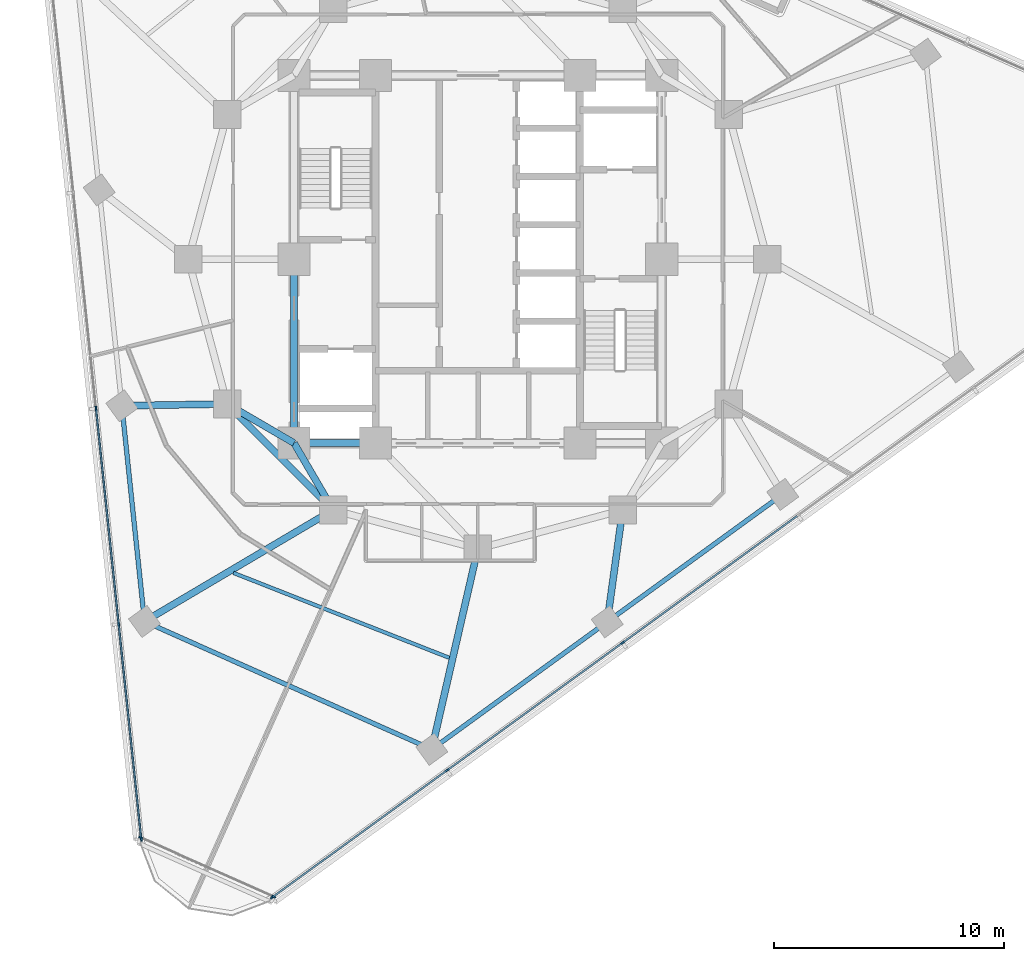
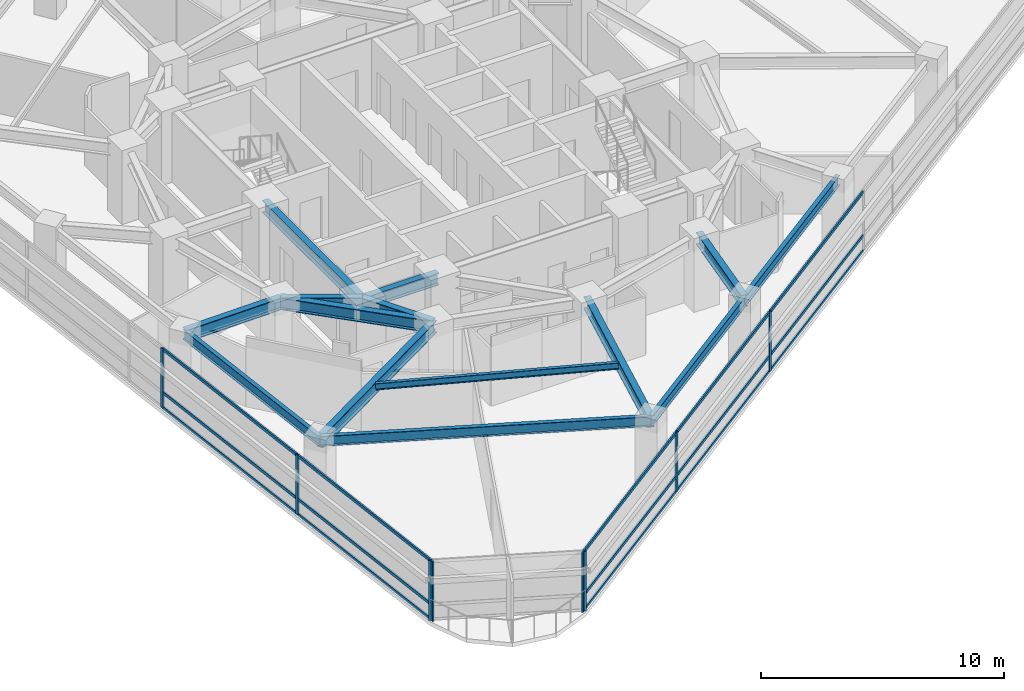
# One storey, part 2 of 14: 23 members, 14 beams, 3 elements without a shape of their own.
"""IFC4 building model written with IfcOpenShell, lengths in metres."""

import ifcopenshell
import ifcopenshell.guid

model = None  # the IFC model being written
_history = None  # IfcOwnerHistory: only IFC2X3 demands one
_inside = {}  # id of a spatial element -> (the spatial element, [elements in it])
_under = {}  # id of a project, library or spatial element -> (it, [spatial elements below it])
_declared = {}  # id of a project -> (the project, [libraries it declares])
_typed = {}  # id of a type object -> (the type object, [elements of that type])
_made_of = {}  # id of a material, layer set ... -> (it, [elements and type objects made of it])


def new_model(schema):
    """Start an empty IFC model of exactly this schema.

    Asked for "IFC4X3", IfcOpenShell would pick the latest addendum, in which some entities
    have other attributes; the version numbers below select the first issue.
    IFC2X3 requires an IfcOwnerHistory on every rooted entity: one is made here for all.
    """
    global model, _history
    if schema == "IFC4X3":
        model = ifcopenshell.file(schema_version=(4, 3, 0, 0))
    else:
        model = ifcopenshell.file(schema=schema)
    _inside.clear()
    _under.clear()
    _declared.clear()
    _typed.clear()
    _made_of.clear()
    _history = None
    if model.schema == "IFC2X3":
        org = make("IfcOrganization", Name="unknown")
        user = make(
            "IfcPersonAndOrganization",
            ThePerson=make("IfcPerson", FamilyName="unknown"),
            TheOrganization=org,
        )
        app = make(
            "IfcApplication",
            ApplicationDeveloper=org,
            Version="unknown",
            ApplicationFullName="unknown",
            ApplicationIdentifier="unknown",
        )
        _history = make(
            "IfcOwnerHistory",
            OwningUser=user,
            OwningApplication=app,
            ChangeAction="ADDED",
            CreationDate=0,
        )
    return model


def make(cls, **values):
    """One entity of the class cls with the attributes given. An attribute that is None is left unset."""
    return model.create_entity(
        cls, **{name: value for name, value in values.items() if value is not None}
    )


def rooted(cls, **values):
    """An entity with a GlobalId (a new one), such as an element, a storey or a relation."""
    return make(cls, GlobalId=ifcopenshell.guid.new(), OwnerHistory=_history, **values)


def si_unit(unit_type, name, prefix=None):
    """IfcSIUnit, for example si_unit("LENGTHUNIT", "METRE", prefix="MILLI")."""
    return make("IfcSIUnit", UnitType=unit_type, Prefix=prefix, Name=name)


def assignment(units):
    """IfcUnitAssignment: the units of a project."""
    return None if units is None else make("IfcUnitAssignment", Units=units)


def point(xyz):
    """IfcCartesianPoint."""
    return None if xyz is None else make("IfcCartesianPoint", Coordinates=xyz)


def direction(xyz):
    """IfcDirection."""
    return None if xyz is None else make("IfcDirection", DirectionRatios=xyz)


def frame(location, z_axis=None, x_axis=None):
    """IfcAxis2Placement3D, a coordinate frame: its origin and axes. An axis left out is left unset."""
    return make(
        "IfcAxis2Placement3D",
        Location=point(location),
        Axis=direction(z_axis),
        RefDirection=direction(x_axis),
    )


def frame_2d(location, x_axis=None):
    """IfcAxis2Placement2D, a coordinate frame in the plane: its origin and x axis."""
    return make(
        "IfcAxis2Placement2D", Location=point(location), RefDirection=direction(x_axis)
    )


def origin():
    """The frame at (0, 0, 0) with its axes left unset."""
    return frame((0.0, 0.0, 0.0))


def origin_2d():
    """The frame at (0, 0) in the plane with its x axis left unset."""
    return frame_2d((0.0, 0.0))


def place(relative_to, where):
    """IfcLocalPlacement: puts the frame where relative to a parent placement (None: the world)."""
    return make(
        "IfcLocalPlacement", PlacementRelTo=relative_to, RelativePlacement=where
    )


def context(
    kind, dimensions, precision=None, world=None, true_north=None, identifier=None
):
    """IfcGeometricRepresentationContext, for example the 3D "Model" context."""
    return make(
        "IfcGeometricRepresentationContext",
        ContextIdentifier=identifier,
        ContextType=kind,
        CoordinateSpaceDimension=dimensions,
        Precision=precision,
        WorldCoordinateSystem=world,
        TrueNorth=true_north,
    )


def subcontext(parent, identifier, kind, view, scale=None):
    """IfcGeometricRepresentationSubContext, for example "Body" below "Model"."""
    return make(
        "IfcGeometricRepresentationSubContext",
        ContextIdentifier=identifier,
        ContextType=kind,
        ParentContext=parent,
        TargetScale=scale,
        TargetView=view,
    )


def project(units=None, contexts=None):
    """IfcProject with its units and contexts."""
    return rooted(
        "IfcProject",
        Name="project",
        RepresentationContexts=contexts,
        UnitsInContext=assignment(units),
    )


def spatial(cls, under=None, at=None, **own):
    """A site, building, storey or space (cls), placed at a placement, below another one or the project."""
    s = rooted(cls, ObjectPlacement=at, **own)
    if under is not None:
        _under.setdefault(under.id(), (under, []))[1].append(s)
    return s


def profile(cls, at=None, kind="AREA", **sizes):
    """A parametric profile (cls). Its sizes go by their IFC names, for example OverallWidth=200.0."""
    return make(cls, ProfileType=kind, Position=at, **sizes)


def rectangle(**sizes):
    """IfcRectangleProfileDef."""
    return profile("IfcRectangleProfileDef", **sizes)


def i_section(**sizes):
    """IfcIShapeProfileDef."""
    return profile("IfcIShapeProfileDef", **sizes)


def extrude(swept, where, along, depth):
    """IfcExtrudedAreaSolid: the profile swept, set in the frame where, extruded along a direction by depth."""
    return make(
        "IfcExtrudedAreaSolid",
        SweptArea=swept,
        Position=where,
        ExtrudedDirection=direction(along),
        Depth=depth,
    )


def shape(context_of_items, identifier, shape_type, items):
    """IfcShapeRepresentation: the items that make up one representation, for example the "Body"."""
    return make(
        "IfcShapeRepresentation",
        ContextOfItems=context_of_items,
        RepresentationIdentifier=identifier,
        RepresentationType=shape_type,
        Items=items,
    )


def material(Name=None, Category=None):
    """IfcMaterial."""
    return make("IfcMaterial", Name=Name, Category=Category)


def layer(
    of_material, thickness, ventilated=None, Name=None, Category=None, Priority=None
):
    """IfcMaterialLayer: one layer of a wall or slab, of a material (None: an air gap)."""
    return make(
        "IfcMaterialLayer",
        Material=of_material,
        LayerThickness=thickness,
        IsVentilated=ventilated,
        Name=Name,
        Category=Category,
        Priority=Priority,
    )


def layer_set(layers, Name=None):
    """IfcMaterialLayerSet."""
    return make("IfcMaterialLayerSet", MaterialLayers=layers, LayerSetName=Name)


def material_profile(
    of_material, cross_section, Name=None, Category=None, Priority=None
):
    """IfcMaterialProfile: a cross section and its material."""
    return make(
        "IfcMaterialProfile",
        Name=Name,
        Material=of_material,
        Profile=cross_section,
        Priority=Priority,
        Category=Category,
    )


def profile_set(profiles, Name=None, composite=None):
    """IfcMaterialProfileSet."""
    return make(
        "IfcMaterialProfileSet",
        Name=Name,
        MaterialProfiles=profiles,
        CompositeProfile=composite,
    )


def made_of(thing, what):
    """Note that an element or type object is made of a material, layer set ...; save() writes the relation."""
    if what is not None:
        _made_of.setdefault(what.id(), (what, []))[1].append(thing)
    return thing


def type_object(cls, material=None, **own):
    """A type object (cls), such as IfcWallType, which elements share."""
    return made_of(rooted(cls, **own), material)


def element(
    cls,
    number,
    at=None,
    inside=None,
    cuts=None,
    type_object=None,
    material=None,
    context=None,
    identifier="Body",
    shape_type=None,
    held_by="IfcProductDefinitionShape",
    body=None,
    shapes=None,
    **own,
):
    """One element of the class cls, such as IfcWall. Its Tag is "e" and its number.

    at: its placement. inside: the storey or other place that contains it. cuts: it is an
    opening in that element (IfcRelVoidsElement). A single representation is given by context,
    identifier, shape_type and body (its items); several are given by shapes. held_by: the class
    of the entity that holds the representations. save() writes the other relations.
    """
    e = rooted(cls, Tag="e%d" % number, ObjectPlacement=at, **own)
    if body is not None:
        shapes = [shape(context, identifier, shape_type, body)]
    if shapes is not None:
        e.Representation = make(held_by, Representations=shapes)
    if inside is not None:
        _inside.setdefault(inside.id(), (inside, []))[1].append(e)
    if cuts is not None:
        rooted(
            "IfcRelVoidsElement", RelatingBuildingElement=cuts, RelatedOpeningElement=e
        )
    if type_object is not None:
        _typed.setdefault(type_object.id(), (type_object, []))[1].append(e)
    return made_of(e, material)


def aggregate(whole, parts):
    """IfcRelAggregates: a whole, such as a stair, and the parts it consists of."""
    return rooted("IfcRelAggregates", RelatingObject=whole, RelatedObjects=parts)


def save(model, path):
    """Write the relations noted so far, then the file.

    IfcRelAggregates (storeys below a building ...), IfcRelContainedInSpatialStructure (elements
    in a storey), IfcRelDefinesByType, IfcRelAssociatesMaterial and IfcRelDeclares: one each for
    every whole, place, type object, material and project.
    """
    for whole, parts in _under.values():
        aggregate(whole, parts)
    for where, things in _inside.values():
        rooted(
            "IfcRelContainedInSpatialStructure",
            RelatedElements=things,
            RelatingStructure=where,
        )
    for kind, things in _typed.values():
        rooted("IfcRelDefinesByType", RelatedObjects=things, RelatingType=kind)
    for what, things in _made_of.values():
        rooted("IfcRelAssociatesMaterial", RelatedObjects=things, RelatingMaterial=what)
    for by, libraries in _declared.values():
        rooted("IfcRelDeclares", RelatingContext=by, RelatedDefinitions=libraries)
    model.write(path)


model = new_model("IFC4")

# Units and contexts
model_context = context("Model", 3, precision=1e-05, world=origin(), true_north=direction((0.0, 1.0)))
body_context = subcontext(model_context, "Body", "Model", "MODEL_VIEW")
ifc_project = project(units=[si_unit("LENGTHUNIT", "METRE"), si_unit("AREAUNIT", "SQUARE_METRE"), si_unit("VOLUMEUNIT", "CUBIC_METRE"), si_unit("PLANEANGLEUNIT", "RADIAN"), si_unit("MASSUNIT", "GRAM", prefix="KILO")], contexts=[model_context])

# Site, building, storey
site_placement = place(None, origin())
site = spatial("IfcSite", under=ifc_project, at=site_placement, CompositionType="ELEMENT")
building_placement = place(site_placement, origin())
building = spatial("IfcBuilding", under=site, at=building_placement, Name="Terralouvre Media Tower", CompositionType="ELEMENT")
storey_placement = place(building_placement, frame((0.0, 0.0, 176.800048828125)))
storey = spatial("IfcBuildingStorey", under=building, at=storey_placement, Name="L45", CompositionType="ELEMENT", Elevation=176.800048828125)

# Beam
ifc_material_1 = material(Name="Structural steel S355J2", Category="steel")
ifc_material_profile_1 = material_profile(ifc_material_1, i_section(OverallWidth=0.159912109375, OverallDepth=0.330078125, WebThickness=0.007568359375, FlangeThickness=0.011474609375, at=origin_2d()), Name="IPE 330")
ifc_profile_set_1 = profile_set([ifc_material_profile_1], Name="Structural steel S355J2")
beam_type_1 = type_object("IfcBeamType", Name="Composite Floor Joist J-IPE330 (IPE 330)", PredefinedType="JOIST", material=ifc_profile_set_1)
beam_1_placement = place(storey_placement, frame((-10.638916015625, -13.648681640625, 3.3349609375), z_axis=(0.93055150024, -0.366161037525, 0.0), x_axis=(0.366161037525, 0.93055150024, 0.0)))
element("IfcBeam", 1, at=beam_1_placement, inside=storey, type_object=beam_type_1, Name="L45 Framing Beam JT-L45-01", PredefinedType="JOIST", context=body_context, shape_type="SweptSolid", body=[
    extrude(i_section(OverallWidth=0.159912109375, OverallDepth=0.330078125, WebThickness=0.007568359375, FlangeThickness=0.011474609375, at=origin_2d()), origin(), (0.0, 0.0, 1.0), 10.0966796875),
])

# Curtain wall, members
ifc_material_2 = material(Name="Low-iron laminated double glazing with solar-control coating", Category="glass")
ifc_layer_1 = layer(ifc_material_2, 0.1650390625, Name="Production Studio Tower Curtain Wall CW-03")
ifc_layer_set_1 = layer_set([ifc_layer_1], Name="Low-iron laminated double glazing with solar-control coating")
curtain_wall_type_1 = type_object("IfcCurtainWallType", Name="Production Studio Tower Curtain Wall CW-03", PredefinedType="NOTDEFINED", material=ifc_layer_set_1)
curtain_wall_1_placement = place(storey_placement, origin())
curtain_wall_1 = element("IfcCurtainWall", 2, at=curtain_wall_1_placement, inside=storey, type_object=curtain_wall_type_1, Name="L45 Facade Curtain Wall F0", PredefinedType="NOTDEFINED")
ifc_material_3 = material(Name="Anodised extruded aluminium 6063-T6", Category="aluminium")
ifc_material_profile_2 = material_profile(ifc_material_3, rectangle(XDim=0.074951171875, YDim=0.14990234375, at=origin_2d()), Name="ALU 75x150")
ifc_profile_set_2 = profile_set([ifc_material_profile_2], Name="Anodised extruded aluminium 6063-T6")
member_type_1 = type_object("IfcMemberType", Name="Curtain-Wall Horizontal Transom TR-150", PredefinedType="USERDEFINED", material=ifc_profile_set_2)
member_1_placement = place(storey_placement, frame((-8.9189453125, -27.7470703125, 0.037353515625), z_axis=(0.809025744282, 0.58777320889, 0.0), x_axis=(-0.58777320889, 0.809025744282, 0.0)))
member_1 = element("IfcMember", 3, at=member_1_placement, type_object=member_type_1, Name="CW-03 transom 1.1", ObjectType="TRANSOM", PredefinedType="USERDEFINED", context=body_context, shape_type="SweptSolid", body=[
    extrude(rectangle(XDim=0.074951171875, YDim=0.14990234375, at=origin_2d()), origin(), (0.0, 0.0, 1.0), 9.327392578125),
])
member_2_placement = place(storey_placement, frame((-8.9189453125, -27.7470703125, 0.800048828125), z_axis=(0.809025744282, 0.58777320889, 0.0), x_axis=(-0.58777320889, 0.809025744282, 0.0)))
member_2 = element("IfcMember", 4, at=member_2_placement, type_object=member_type_1, Name="CW-03 transom 1.2", ObjectType="TRANSOM", PredefinedType="USERDEFINED", context=body_context, shape_type="SweptSolid", body=[
    extrude(rectangle(XDim=0.074951171875, YDim=0.14990234375, at=origin_2d()), origin(), (0.0, 0.0, 1.0), 9.327392578125),
])
member_3_placement = place(storey_placement, frame((-8.9189453125, -27.7470703125, 2.96240234375), z_axis=(0.809025744282, 0.58777320889, 0.0), x_axis=(-0.58777320889, 0.809025744282, 0.0)))
member_3 = element("IfcMember", 5, at=member_3_placement, type_object=member_type_1, Name="CW-03 transom 1.3", ObjectType="TRANSOM", PredefinedType="USERDEFINED", context=body_context, shape_type="SweptSolid", body=[
    extrude(rectangle(XDim=0.074951171875, YDim=0.14990234375, at=origin_2d()), origin(), (0.0, 0.0, 1.0), 9.327392578125),
])
member_4_placement = place(storey_placement, frame((-1.312255859375, -22.220458984375, 0.037353515625), z_axis=(0.809014443998, 0.587788762569, 0.0), x_axis=(-0.587788762569, 0.809014443998, 0.0)))
member_4 = element("IfcMember", 6, at=member_4_placement, type_object=member_type_1, Name="CW-03 transom 2.1", ObjectType="TRANSOM", PredefinedType="USERDEFINED", context=body_context, shape_type="SweptSolid", body=[
    extrude(rectangle(XDim=0.074951171875, YDim=0.14990234375, at=origin_2d()), origin(), (0.0, 0.0, 1.0), 9.364990234375),
])
member_5_placement = place(storey_placement, frame((-1.312255859375, -22.220458984375, 0.800048828125), z_axis=(0.809014443998, 0.587788762569, 0.0), x_axis=(-0.587788762569, 0.809014443998, 0.0)))
member_5 = element("IfcMember", 7, at=member_5_placement, type_object=member_type_1, Name="CW-03 transom 2.2", ObjectType="TRANSOM", PredefinedType="USERDEFINED", context=body_context, shape_type="SweptSolid", body=[
    extrude(rectangle(XDim=0.074951171875, YDim=0.14990234375, at=origin_2d()), origin(), (0.0, 0.0, 1.0), 9.364990234375),
])
member_6_placement = place(storey_placement, frame((-1.312255859375, -22.220458984375, 2.96240234375), z_axis=(0.809014443998, 0.587788762569, 0.0), x_axis=(-0.587788762569, 0.809014443998, 0.0)))
member_6 = element("IfcMember", 8, at=member_6_placement, type_object=member_type_1, Name="CW-03 transom 2.3", ObjectType="TRANSOM", PredefinedType="USERDEFINED", context=body_context, shape_type="SweptSolid", body=[
    extrude(rectangle(XDim=0.074951171875, YDim=0.14990234375, at=origin_2d()), origin(), (0.0, 0.0, 1.0), 9.364990234375),
])
member_7_placement = place(storey_placement, frame((6.324951171875, -16.671875, 0.037353515625), z_axis=(0.809014443998, 0.587788762569, 0.0), x_axis=(-0.587788762569, 0.809014443998, 0.0)))
member_7 = element("IfcMember", 9, at=member_7_placement, type_object=member_type_1, Name="CW-03 transom 3.1", ObjectType="TRANSOM", PredefinedType="USERDEFINED", context=body_context, shape_type="SweptSolid", body=[
    extrude(rectangle(XDim=0.074951171875, YDim=0.14990234375, at=origin_2d()), origin(), (0.0, 0.0, 1.0), 9.364990234375),
])
member_8_placement = place(storey_placement, frame((6.324951171875, -16.671875, 0.800048828125), z_axis=(0.809014443998, 0.587788762569, 0.0), x_axis=(-0.587788762569, 0.809014443998, 0.0)))
member_8 = element("IfcMember", 10, at=member_8_placement, type_object=member_type_1, Name="CW-03 transom 3.2", ObjectType="TRANSOM", PredefinedType="USERDEFINED", context=body_context, shape_type="SweptSolid", body=[
    extrude(rectangle(XDim=0.074951171875, YDim=0.14990234375, at=origin_2d()), origin(), (0.0, 0.0, 1.0), 9.364990234375),
])
member_9_placement = place(storey_placement, frame((6.324951171875, -16.671875, 2.96240234375), z_axis=(0.809014443998, 0.587788762569, 0.0), x_axis=(-0.587788762569, 0.809014443998, 0.0)))
member_9 = element("IfcMember", 11, at=member_9_placement, type_object=member_type_1, Name="CW-03 transom 3.3", ObjectType="TRANSOM", PredefinedType="USERDEFINED", context=body_context, shape_type="SweptSolid", body=[
    extrude(rectangle(XDim=0.074951171875, YDim=0.14990234375, at=origin_2d()), origin(), (0.0, 0.0, 1.0), 9.364990234375),
])

curtain_wall_2_placement = place(storey_placement, origin())
curtain_wall_2 = element("IfcCurtainWall", 12, at=curtain_wall_2_placement, inside=storey, type_object=curtain_wall_type_1, Name="L45 Facade Curtain Wall F2", PredefinedType="NOTDEFINED")
member_10_placement = place(storey_placement, frame((-16.614013671875, -6.52978515625, 0.037353515625), z_axis=(0.104538223456, -0.994520869483, 0.0), x_axis=(0.994520869483, 0.104538223456, 0.0)))
member_10 = element("IfcMember", 13, at=member_10_placement, type_object=member_type_1, Name="CW-03 transom 4.1", ObjectType="TRANSOM", PredefinedType="USERDEFINED", context=body_context, shape_type="SweptSolid", body=[
    extrude(rectangle(XDim=0.074951171875, YDim=0.14990234375, at=origin_2d()), origin(), (0.0, 0.0, 1.0), 9.364990234375),
])
member_11_placement = place(storey_placement, frame((-16.614013671875, -6.52978515625, 0.800048828125), z_axis=(0.104538223456, -0.994520869483, 0.0), x_axis=(0.994520869483, 0.104538223456, 0.0)))
member_11 = element("IfcMember", 14, at=member_11_placement, type_object=member_type_1, Name="CW-03 transom 4.2", ObjectType="TRANSOM", PredefinedType="USERDEFINED", context=body_context, shape_type="SweptSolid", body=[
    extrude(rectangle(XDim=0.074951171875, YDim=0.14990234375, at=origin_2d()), origin(), (0.0, 0.0, 1.0), 9.364990234375),
])
member_12_placement = place(storey_placement, frame((-16.614013671875, -6.52978515625, 2.96240234375), z_axis=(0.104538223456, -0.994520869483, 0.0), x_axis=(0.994520869483, 0.104538223456, 0.0)))
member_12 = element("IfcMember", 15, at=member_12_placement, type_object=member_type_1, Name="CW-03 transom 4.3", ObjectType="TRANSOM", PredefinedType="USERDEFINED", context=body_context, shape_type="SweptSolid", body=[
    extrude(rectangle(XDim=0.074951171875, YDim=0.14990234375, at=origin_2d()), origin(), (0.0, 0.0, 1.0), 9.364990234375),
])
member_13_placement = place(storey_placement, frame((-15.627197265625, -15.918212890625, 0.037353515625), z_axis=(0.104540358364, -0.994520645071, 0.0), x_axis=(0.994520645071, 0.104540358364, 0.0)))
member_13 = element("IfcMember", 16, at=member_13_placement, type_object=member_type_1, Name="CW-03 transom 5.1", ObjectType="TRANSOM", PredefinedType="USERDEFINED", context=body_context, shape_type="SweptSolid", body=[
    extrude(rectangle(XDim=0.074951171875, YDim=0.14990234375, at=origin_2d()), origin(), (0.0, 0.0, 1.0), 9.327392578125),
])
member_14_placement = place(storey_placement, frame((-15.627197265625, -15.918212890625, 0.800048828125), z_axis=(0.104540358364, -0.994520645071, 0.0), x_axis=(0.994520645071, 0.104540358364, 0.0)))
member_14 = element("IfcMember", 17, at=member_14_placement, type_object=member_type_1, Name="CW-03 transom 5.2", ObjectType="TRANSOM", PredefinedType="USERDEFINED", context=body_context, shape_type="SweptSolid", body=[
    extrude(rectangle(XDim=0.074951171875, YDim=0.14990234375, at=origin_2d()), origin(), (0.0, 0.0, 1.0), 9.327392578125),
])
member_15_placement = place(storey_placement, frame((-15.627197265625, -15.918212890625, 2.96240234375), z_axis=(0.104540358364, -0.994520645071, 0.0), x_axis=(0.994520645071, 0.104540358364, 0.0)))
member_15 = element("IfcMember", 18, at=member_15_placement, type_object=member_type_1, Name="CW-03 transom 5.3", ObjectType="TRANSOM", PredefinedType="USERDEFINED", context=body_context, shape_type="SweptSolid", body=[
    extrude(rectangle(XDim=0.074951171875, YDim=0.14990234375, at=origin_2d()), origin(), (0.0, 0.0, 1.0), 9.327392578125),
])

# Member
ifc_material_4 = material(Name="Anodised extruded aluminium 6063-T6", Category="aluminium")
ifc_material_profile_3 = material_profile(ifc_material_4, rectangle(XDim=0.074951171875, YDim=0.179931640625, at=origin_2d()), Name="ALU 75x180")
ifc_profile_set_3 = profile_set([ifc_material_profile_3], Name="Anodised extruded aluminium 6063-T6")
member_type_2 = type_object("IfcMemberType", Name="Curtain-Wall Vertical Mullion ML-180", PredefinedType="MULLION", material=ifc_profile_set_3)
member_16_placement = place(storey_placement, frame((-8.949462890625, -27.769287109375, 0.0), z_axis=(0.0, 0.0, 1.0), x_axis=(-0.587785358263, 0.809016917383, 0.0)))
member_16 = element("IfcMember", 19, at=member_16_placement, type_object=member_type_2, Name="CW-03 mullion 1", PredefinedType="MULLION", context=body_context, shape_type="SweptSolid", body=[
    extrude(rectangle(XDim=0.074951171875, YDim=0.179931640625, at=origin_2d()), origin(), (0.0, 0.0, 1.0), 3.0),
])

member_17_placement = place(storey_placement, frame((-1.342529296875, -22.24267578125, 0.0), z_axis=(0.0, 0.0, 1.0), x_axis=(-0.587785358263, 0.809016917383, 0.0)))
member_17 = element("IfcMember", 20, at=member_17_placement, type_object=member_type_2, Name="CW-03 mullion 2", PredefinedType="MULLION", context=body_context, shape_type="SweptSolid", body=[
    extrude(rectangle(XDim=0.074951171875, YDim=0.179931640625, at=origin_2d()), origin(), (0.0, 0.0, 1.0), 3.0),
])

member_18_placement = place(storey_placement, frame((6.294677734375, -16.69384765625, 0.0), z_axis=(0.0, 0.0, 1.0), x_axis=(-0.587785358263, 0.809016917383, 0.0)))
member_18 = element("IfcMember", 21, at=member_18_placement, type_object=member_type_2, Name="CW-03 mullion 3", PredefinedType="MULLION", context=body_context, shape_type="SweptSolid", body=[
    extrude(rectangle(XDim=0.074951171875, YDim=0.179931640625, at=origin_2d()), origin(), (0.0, 0.0, 1.0), 3.0),
])

aggregate(curtain_wall_1, [member_16, member_17, member_18, member_1, member_2, member_3, member_4, member_5, member_6, member_7, member_8, member_9])

member_19_placement = place(storey_placement, frame((-16.617919921875, -6.49267578125, 0.0), z_axis=(0.0, 0.0, 1.0), x_axis=(0.994521904516, 0.104528376236, 0.0)))
member_19 = element("IfcMember", 22, at=member_19_placement, type_object=member_type_2, Name="CW-03 mullion 4", PredefinedType="MULLION", context=body_context, shape_type="SweptSolid", body=[
    extrude(rectangle(XDim=0.074951171875, YDim=0.179931640625, at=origin_2d()), origin(), (0.0, 0.0, 1.0), 3.0),
])

member_20_placement = place(storey_placement, frame((-15.631103515625, -15.880859375, 0.0), z_axis=(0.0, 0.0, 1.0), x_axis=(0.994521904516, 0.104528376236, 0.0)))
member_20 = element("IfcMember", 23, at=member_20_placement, type_object=member_type_2, Name="CW-03 mullion 5", PredefinedType="MULLION", context=body_context, shape_type="SweptSolid", body=[
    extrude(rectangle(XDim=0.074951171875, YDim=0.179931640625, at=origin_2d()), origin(), (0.0, 0.0, 1.0), 3.0),
])

member_21_placement = place(storey_placement, frame((-14.648193359375, -25.23193359375, 0.0), z_axis=(0.0, 0.0, 1.0), x_axis=(0.994521904516, 0.104528376236, 0.0)))
member_21 = element("IfcMember", 24, at=member_21_placement, type_object=member_type_2, Name="CW-03 mullion 6", PredefinedType="MULLION", context=body_context, shape_type="SweptSolid", body=[
    extrude(rectangle(XDim=0.074951171875, YDim=0.179931640625, at=origin_2d()), origin(), (0.0, 0.0, 1.0), 3.0),
])

aggregate(curtain_wall_2, [member_19, member_20, member_21, member_10, member_11, member_12, member_13, member_14, member_15])

# Curtain wall, members
ifc_material_5 = material(Name="Low-iron laminated double glazing with solar-control coating", Category="glass")
ifc_layer_2 = layer(ifc_material_5, 0.1650390625, Name="Rounded Wind-Corner Curved Glazing CW-04")
ifc_layer_set_2 = layer_set([ifc_layer_2], Name="Low-iron laminated double glazing with solar-control coating")
curtain_wall_type_2 = type_object("IfcCurtainWallType", Name="Rounded Wind-Corner Curved Glazing CW-04", PredefinedType="NOTDEFINED", material=ifc_layer_set_2)
curtain_wall_3_placement = place(storey_placement, origin())
curtain_wall_3 = element("IfcCurtainWall", 25, at=curtain_wall_3_placement, inside=storey, type_object=curtain_wall_type_2, Name="L45 Rounded Wind-Corner Curtain Wall C0", PredefinedType="NOTDEFINED")
member_22_placement = place(storey_placement, frame((-14.67236328125, -25.169189453125, 0.0), z_axis=(0.0, 0.0, 1.0), x_axis=(0.406736754128, 0.913545408199, 0.0)))
member_22 = element("IfcMember", 26, at=member_22_placement, type_object=member_type_2, Name="CW-04 mullion 1", PredefinedType="MULLION", context=body_context, shape_type="SweptSolid", body=[
    extrude(rectangle(XDim=0.074951171875, YDim=0.179931640625, at=origin_2d()), origin(), (0.0, 0.0, 1.0), 3.0),
])
member_23_placement = place(storey_placement, frame((-8.886474609375, -27.7451171875, 0.0), z_axis=(0.0, 0.0, 1.0), x_axis=(0.406736754128, 0.913545408199, 0.0)))
member_23 = element("IfcMember", 27, at=member_23_placement, type_object=member_type_2, Name="CW-04 mullion 2", PredefinedType="MULLION", context=body_context, shape_type="SweptSolid", body=[
    extrude(rectangle(XDim=0.074951171875, YDim=0.179931640625, at=origin_2d()), origin(), (0.0, 0.0, 1.0), 3.0),
])
aggregate(curtain_wall_3, [member_22, member_23])

# Beams
ifc_material_6 = material(Name="Structural steel S355J2", Category="steel")
ifc_material_profile_4 = material_profile(ifc_material_6, i_section(OverallWidth=0.199951171875, OverallDepth=0.5, WebThickness=0.01025390625, FlangeThickness=0.01611328125, at=origin_2d()), Name="IPE 500")
ifc_profile_set_4 = profile_set([ifc_material_profile_4], Name="Structural steel S355J2")
beam_type_2 = type_object("IfcBeamType", Name="Perimeter Spandrel Beam SPB-500 (IPE 500)", PredefinedType="SPANDREL", material=ifc_profile_set_4)
beam_2_placement = place(storey_placement, frame((-15.494140625, -6.37451171875, 3.25), z_axis=(0.10453669331, -0.994521030321, 0.0), x_axis=(0.994521030321, 0.10453669331, 0.0)))
element("IfcBeam", 28, at=beam_2_placement, inside=storey, type_object=beam_type_2, Name="L45 Framing Beam BM-L45-PR01", PredefinedType="SPANDREL", context=body_context, shape_type="SweptSolid", body=[
    extrude(i_section(OverallWidth=0.199951171875, OverallDepth=0.5, WebThickness=0.01025390625, FlangeThickness=0.01611328125, at=origin_2d()), origin(), (0.0, 0.0, 1.0), 9.43994140625),
])
beam_3_placement = place(storey_placement, frame((-14.50732421875, -15.7626953125, 3.25), z_axis=(0.913542800127, -0.4067426119, 0.0), x_axis=(0.4067426119, 0.913542800127, 0.0)))
element("IfcBeam", 29, at=beam_3_placement, inside=storey, type_object=beam_type_2, Name="L45 Framing Beam BM-L45-PR02", PredefinedType="SPANDREL", context=body_context, shape_type="SweptSolid", body=[
    extrude(i_section(OverallWidth=0.199951171875, OverallDepth=0.5, WebThickness=0.01025390625, FlangeThickness=0.01611328125, at=origin_2d()), origin(), (0.0, 0.0, 1.0), 13.68359375),
])
beam_4_placement = place(storey_placement, frame((-2.0068359375, -21.328369140625, 3.25), z_axis=(0.809025644413, 0.587773346352, 0.0), x_axis=(-0.587773346352, 0.809025644413, 0.0)))
element("IfcBeam", 30, at=beam_4_placement, inside=storey, type_object=beam_type_2, Name="L45 Framing Beam BM-L45-PR03", PredefinedType="SPANDREL", context=body_context, shape_type="SweptSolid", body=[
    extrude(i_section(OverallWidth=0.199951171875, OverallDepth=0.5, WebThickness=0.01025390625, FlangeThickness=0.01611328125, at=origin_2d()), origin(), (0.0, 0.0, 1.0), 9.43994140625),
])
beam_5_placement = place(storey_placement, frame((5.63037109375, -15.77978515625, 3.25), z_axis=(0.809013346268, 0.587790273448, 0.0), x_axis=(-0.587790273448, 0.809013346268, 0.0)))
element("IfcBeam", 31, at=beam_5_placement, inside=storey, type_object=beam_type_2, Name="L45 Framing Beam BM-L45-PR04", PredefinedType="SPANDREL", context=body_context, shape_type="SweptSolid", body=[
    extrude(i_section(OverallWidth=0.199951171875, OverallDepth=0.5, WebThickness=0.01025390625, FlangeThickness=0.01611328125, at=origin_2d()), origin(), (0.0, 0.0, 1.0), 9.440185546875),
])
ifc_material_7 = material(Name="Structural steel S460M", Category="steel")
ifc_material_profile_5 = material_profile(ifc_material_7, i_section(OverallWidth=0.300048828125, OverallDepth=0.60009765625, WebThickness=0.015380859375, FlangeThickness=0.030029296875, at=origin_2d()), Name="HEB 600")
ifc_profile_set_5 = profile_set([ifc_material_profile_5], Name="Structural steel S460M")
beam_type_3 = type_object("IfcBeamType", Name="Primary Floor Girder B-HEB600 (HEB 600)", PredefinedType="BEAM", material=ifc_profile_set_5)
beam_6_placement = place(storey_placement, frame((-8.0, -8.0, 3.199951171875), z_axis=(1.0, 0.0, 0.0), x_axis=(0.0, 1.0, 0.0)))
element("IfcBeam", 32, at=beam_6_placement, inside=storey, type_object=beam_type_3, Name="L45 Framing Beam BM-L45-CPR01", PredefinedType="BEAM", context=body_context, shape_type="SweptSolid", body=[
    extrude(i_section(OverallWidth=0.300048828125, OverallDepth=0.60009765625, WebThickness=0.015380859375, FlangeThickness=0.030029296875, at=origin_2d()), origin(), (0.0, 0.0, 1.0), 3.550048828125),
])
beam_7_placement = place(storey_placement, frame((-8.0, 0.0, 3.199951171875), z_axis=(0.0, -1.0, 0.0), x_axis=(1.0, 0.0, 0.0)))
element("IfcBeam", 33, at=beam_7_placement, inside=storey, type_object=beam_type_3, Name="L45 Framing Beam BM-L45-CPR10", PredefinedType="BEAM", context=body_context, shape_type="SweptSolid", body=[
    extrude(i_section(OverallWidth=0.300048828125, OverallDepth=0.60009765625, WebThickness=0.015380859375, FlangeThickness=0.030029296875, at=origin_2d()), origin(), (0.0, 0.0, 1.0), 8.0),
])
beam_8_placement = place(storey_placement, frame((-10.911865234375, -6.300048828125, 3.199951171875), z_axis=(0.707106781187, -0.707106781187, 0.0), x_axis=(0.707106781187, 0.707106781187, 0.0)))
element("IfcBeam", 34, at=beam_8_placement, inside=storey, type_object=beam_type_3, Name="L45 Framing Beam BM-L45-MR01", PredefinedType="BEAM", context=body_context, shape_type="SweptSolid", body=[
    extrude(i_section(OverallWidth=0.300048828125, OverallDepth=0.60009765625, WebThickness=0.015380859375, FlangeThickness=0.030029296875, at=origin_2d()), origin(), (0.0, 0.0, 1.0), 6.52197265625),
])
for number, where, z_axis, x_axis, name in (
    (35, (-8.0, -8.0, 3.199951171875), (-0.863602894532, 0.504172629717, 0.0), (-0.504172629717, -0.863602894532, 0.0), "L45 Framing Beam BM-L45-CM01"),
    (36, (-8.0, -8.0, 3.199951171875), (0.504172629717, -0.863602894532, 0.0), (0.863602894532, 0.504172629717, 0.0), "L45 Framing Beam BM-L45-CM02"),
):
    element("IfcBeam", number, at=place(storey_placement, frame(where, z_axis=z_axis, x_axis=x_axis)), inside=storey, type_object=beam_type_3, Name=name, PredefinedType="BEAM", context=body_context, shape_type="SweptSolid", body=[
        extrude(i_section(OverallWidth=0.300048828125, OverallDepth=0.60009765625, WebThickness=0.015380859375, FlangeThickness=0.030029296875, at=origin_2d()), origin(), (0.0, 0.0, 1.0), 3.371826171875),
    ])
beam_9_placement = place(storey_placement, frame((-10.911865234375, -6.300048828125, 3.199951171875), z_axis=(-0.999867991647, -0.016248054635, 0.0), x_axis=(0.016248054635, -0.999867991647, 0.0)))
element("IfcBeam", 37, at=beam_9_placement, inside=storey, type_object=beam_type_3, Name="L45 Framing Beam BM-L45-RD01", PredefinedType="BEAM", context=body_context, shape_type="SweptSolid", body=[
    extrude(i_section(OverallWidth=0.300048828125, OverallDepth=0.60009765625, WebThickness=0.015380859375, FlangeThickness=0.030029296875, at=origin_2d()), origin(), (0.0, 0.0, 1.0), 4.582763671875),
])
beam_10_placement = place(storey_placement, frame((-6.300048828125, -10.911865234375, 3.199951171875), z_axis=(-0.86087707212, -0.508812997768, 0.0), x_axis=(0.508812997768, -0.86087707212, 0.0)))
element("IfcBeam", 38, at=beam_10_placement, inside=storey, type_object=beam_type_3, Name="L45 Framing Beam BM-L45-RD02", PredefinedType="BEAM", context=body_context, shape_type="SweptSolid", body=[
    extrude(i_section(OverallWidth=0.300048828125, OverallDepth=0.60009765625, WebThickness=0.015380859375, FlangeThickness=0.030029296875, at=origin_2d()), origin(), (0.0, 0.0, 1.0), 9.53369140625),
])
beam_11_placement = place(storey_placement, frame((0.0, -12.60009765625, 3.199951171875), z_axis=(-0.224077011605, -0.974571440619, 0.0), x_axis=(0.974571440619, -0.224077011605, 0.0)))
element("IfcBeam", 39, at=beam_11_placement, inside=storey, type_object=beam_type_3, Name="L45 Framing Beam BM-L45-RD03", PredefinedType="BEAM", context=body_context, shape_type="SweptSolid", body=[
    extrude(i_section(OverallWidth=0.300048828125, OverallDepth=0.60009765625, WebThickness=0.015380859375, FlangeThickness=0.030029296875, at=origin_2d()), origin(), (0.0, 0.0, 1.0), 8.9560546875),
])
beam_12_placement = place(storey_placement, frame((6.300048828125, -10.911865234375, 3.199951171875), z_axis=(-0.136285998947, -0.990669534452, 0.0), x_axis=(0.990669534452, -0.136285998947, 0.0)))
element("IfcBeam", 40, at=beam_12_placement, inside=storey, type_object=beam_type_3, Name="L45 Framing Beam BM-L45-RD04", PredefinedType="BEAM", context=body_context, shape_type="SweptSolid", body=[
    extrude(i_section(OverallWidth=0.300048828125, OverallDepth=0.60009765625, WebThickness=0.015380859375, FlangeThickness=0.030029296875, at=origin_2d()), origin(), (0.0, 0.0, 1.0), 4.913818359375),
])

save(model, "model.ifc")
